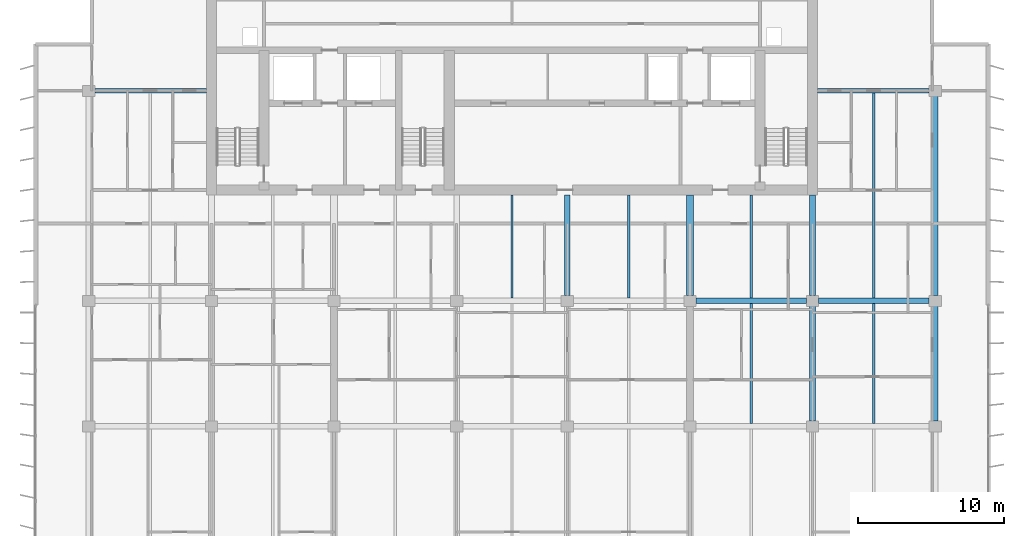
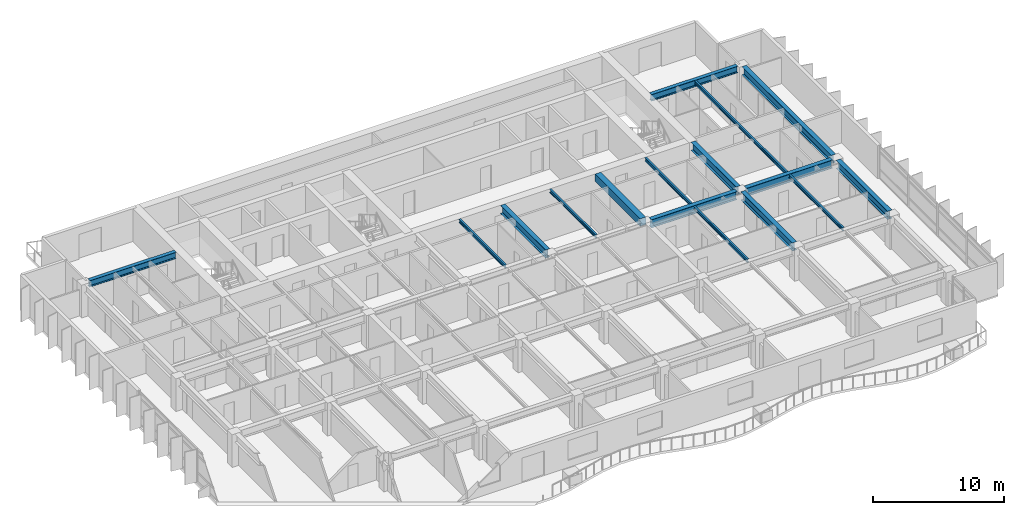
# One storey, part 4 of 16: 16 beams.
"""IFC4 building model written with IfcOpenShell, lengths in metres."""

from ifc_helpers import new_model, si_unit, direction, frame, origin, origin_2d, place, context, subcontext, project, spatial, rectangle, i_section, extrude, material, material_profile, profile_set, type_object, element, save


model = new_model("IFC4")

# Units and contexts
model_context = context("Model", 3, precision=1e-05, world=origin(), true_north=direction((0.0, 1.0)))
body_context = subcontext(model_context, "Body", "Model", "MODEL_VIEW")
ifc_project = project(units=[si_unit("LENGTHUNIT", "METRE"), si_unit("AREAUNIT", "SQUARE_METRE"), si_unit("VOLUMEUNIT", "CUBIC_METRE"), si_unit("PLANEANGLEUNIT", "RADIAN"), si_unit("MASSUNIT", "GRAM", prefix="KILO")], contexts=[model_context])

# Site, building, storey
site_placement = place(None, origin())
site = spatial("IfcSite", under=ifc_project, at=site_placement, CompositionType="ELEMENT")
building_placement = place(site_placement, origin())
building = spatial("IfcBuilding", under=site, at=building_placement, Name="Caelmar Bay Residences", CompositionType="ELEMENT")
storey_placement = place(building_placement, frame((0.0, 0.0, 198.300048828125)))
storey = spatial("IfcBuildingStorey", under=building, at=storey_placement, Name="L55", CompositionType="ELEMENT", Elevation=198.300048828125)

# Beams
ifc_material_1 = material(Name="Steel ASTM A992 Grade 50", Category="steel")
ifc_material_profile_1 = material_profile(ifc_material_1, i_section(OverallWidth=0.381103515625, OverallDepth=0.77197265625, WebThickness=0.0166015625, FlangeThickness=0.027099609375, FilletRadius=0.0166015625, at=origin_2d()), Name="W30X173")
ifc_profile_set_1 = profile_set([ifc_material_profile_1], Name="Steel ASTM A992 Grade 50")
beam_type_1 = type_object("IfcBeamType", Name="BM-GRD-W30X173", PredefinedType="BEAM", material=ifc_profile_set_1)
for number, where, z_axis, x_axis, name in (
    (1, (51.514892578125, 29.39990234375, 2.6640625), (1.0, 0.0, 0.0), (0.0, 1.0, 0.0), "L55 East-West Girder Y=29.40 (51.1-59.5)"),
    (2, (59.9150390625, 29.39990234375, 2.6640625), (1.0, 0.0, 0.0), (0.0, 1.0, 0.0), "L55 East-West Girder Y=29.40 (59.5-67.9)"),
):
    element("IfcBeam", number, at=place(storey_placement, frame(where, z_axis=z_axis, x_axis=x_axis)), inside=storey, type_object=beam_type_1, Name=name, PredefinedType="BEAM", context=body_context, shape_type="SweptSolid", body=[
        extrude(i_section(OverallWidth=0.381103515625, OverallDepth=0.77197265625, WebThickness=0.0166015625, FlangeThickness=0.027099609375, FilletRadius=0.0166015625, at=origin_2d()), origin(), (0.0, 0.0, 1.0), 7.570068359375),
    ])
for number, where, z_axis, x_axis, name in (
    (3, (42.699951171875, 29.764892578125, 2.6640625), (0.0, 1.0, 0.0), (-1.0, 0.0, 0.0), "L55 Core Tie Girder X=42.70"),
    (4, (59.5, 29.764892578125, 2.6640625), (0.0, 1.0, 0.0), (-1.0, 0.0, 0.0), "L55 Core Tie Girder X=59.50"),
):
    element("IfcBeam", number, at=place(storey_placement, frame(where, z_axis=z_axis, x_axis=x_axis)), inside=storey, type_object=beam_type_1, Name=name, PredefinedType="BEAM", context=body_context, shape_type="SweptSolid", body=[
        extrude(i_section(OverallWidth=0.381103515625, OverallDepth=0.77197265625, WebThickness=0.0166015625, FlangeThickness=0.027099609375, FilletRadius=0.0166015625, at=origin_2d()), origin(), (0.0, 0.0, 1.0), 6.885009765625),
    ])
for number, where, z_axis, x_axis, name in (
    (5, (59.5, 21.1650390625, 2.6640625), (0.0, 1.0, 0.0), (-1.0, 0.0, 0.0), "L55 North-South Girder X=59.50 (20.8-29.4)"),
    (6, (67.89990234375, 21.1650390625, 2.6640625), (0.0, 1.0, 0.0), (-1.0, 0.0, 0.0), "L55 North-South Girder X=67.90 (20.8-29.4)"),
):
    element("IfcBeam", number, at=place(storey_placement, frame(where, z_axis=z_axis, x_axis=x_axis)), inside=storey, type_object=beam_type_1, Name=name, PredefinedType="BEAM", context=body_context, shape_type="SweptSolid", body=[
        extrude(i_section(OverallWidth=0.381103515625, OverallDepth=0.77197265625, WebThickness=0.0166015625, FlangeThickness=0.027099609375, FilletRadius=0.0166015625, at=origin_2d()), origin(), (0.0, 0.0, 1.0), 7.869873046875),
    ])
beam_1_placement = place(storey_placement, frame((67.89990234375, 29.764892578125, 2.6640625), z_axis=(0.0, 1.0, 0.0), x_axis=(-1.0, 0.0, 0.0)))
element("IfcBeam", 7, at=beam_1_placement, inside=storey, type_object=beam_type_1, Name="L55 North-South Girder X=67.90 (29.4-43.8)", PredefinedType="BEAM", context=body_context, shape_type="SweptSolid", body=[
    extrude(i_section(OverallWidth=0.381103515625, OverallDepth=0.77197265625, WebThickness=0.0166015625, FlangeThickness=0.027099609375, FilletRadius=0.0166015625, at=origin_2d()), origin(), (0.0, 0.0, 1.0), 13.670166015625),
])
ifc_material_profile_2 = material_profile(ifc_material_1, i_section(OverallWidth=0.1650390625, OverallDepth=0.31005859375, WebThickness=0.005859375, FlangeThickness=0.009765625, FilletRadius=0.007568359375, at=origin_2d()), Name="W12X26")
ifc_profile_set_2 = profile_set([ifc_material_profile_2], Name="Steel ASTM A992 Grade 50")
beam_type_2 = type_object("IfcBeamType", Name="BM-JST-W12X26", PredefinedType="JOIST", material=ifc_profile_set_2)
for number, where, z_axis, x_axis, name in (
    (8, (55.300048828125, 20.990478515625, 2.89501953125), (0.0, 1.0, 0.0), (-1.0, 0.0, 0.0), "L55 Composite Floor Joist 13"),
    (9, (63.699951171875, 20.990478515625, 2.89501953125), (0.0, 1.0, 0.0), (-1.0, 0.0, 0.0), "L55 Composite Floor Joist 14"),
):
    element("IfcBeam", number, at=place(storey_placement, frame(where, z_axis=z_axis, x_axis=x_axis)), inside=storey, type_object=beam_type_2, Name=name, PredefinedType="JOIST", context=body_context, shape_type="SweptSolid", body=[
        extrude(i_section(OverallWidth=0.1650390625, OverallDepth=0.31005859375, WebThickness=0.005859375, FlangeThickness=0.009765625, FilletRadius=0.007568359375, at=origin_2d()), origin(), (0.0, 0.0, 1.0), 8.218994140625),
    ])
for number, where, z_axis, x_axis, name in (
    (10, (38.89990234375, 29.590576171875, 2.89501953125), (0.0, 1.0, 0.0), (-1.0, 0.0, 0.0), "L55 Core-Band Composite Joist 17"),
    (11, (46.89990234375, 29.590576171875, 2.89501953125), (0.0, 1.0, 0.0), (-1.0, 0.0, 0.0), "L55 Core-Band Composite Joist 18"),
    (12, (55.300048828125, 29.590576171875, 2.89501953125), (0.0, 1.0, 0.0), (-1.0, 0.0, 0.0), "L55 Core-Band Composite Joist 19"),
):
    element("IfcBeam", number, at=place(storey_placement, frame(where, z_axis=z_axis, x_axis=x_axis)), inside=storey, type_object=beam_type_2, Name=name, PredefinedType="JOIST", context=body_context, shape_type="SweptSolid", body=[
        extrude(i_section(OverallWidth=0.1650390625, OverallDepth=0.31005859375, WebThickness=0.005859375, FlangeThickness=0.009765625, FilletRadius=0.007568359375, at=origin_2d()), origin(), (0.0, 0.0, 1.0), 7.059326171875),
    ])
beam_2_placement = place(storey_placement, frame((63.699951171875, 29.590576171875, 2.89501953125), z_axis=(0.0, 1.0, 0.0), x_axis=(-1.0, 0.0, 0.0)))
element("IfcBeam", 13, at=beam_2_placement, inside=storey, type_object=beam_type_2, Name="L55 Composite Floor Joist 21", PredefinedType="JOIST", context=body_context, shape_type="SweptSolid", body=[
    extrude(i_section(OverallWidth=0.1650390625, OverallDepth=0.31005859375, WebThickness=0.005859375, FlangeThickness=0.009765625, FilletRadius=0.007568359375, at=origin_2d()), origin(), (0.0, 0.0, 1.0), 14.046875),
])
ifc_material_2 = material(Name="Concrete f'c 55 MPa (8,000 psi)", Category="concrete")
ifc_material_profile_3 = material_profile(ifc_material_2, rectangle(XDim=0.5, YDim=0.699951171875, at=origin_2d()), Name="RC-BM-500X700")
ifc_profile_set_3 = profile_set([ifc_material_profile_3], Name="Concrete f'c 55 MPa (8,000 psi)")
beam_type_3 = type_object("IfcBeamType", Name="BM-RC-500X700", PredefinedType="LINTEL", material=ifc_profile_set_3)
beam_3_placement = place(storey_placement, frame((51.10009765625, 29.764892578125, 2.699951171875), z_axis=(0.0, 1.0, 0.0), x_axis=(-1.0, 0.0, 0.0)))
element("IfcBeam", 14, at=beam_3_placement, inside=storey, type_object=beam_type_3, Name="L55 Shear-Wall Corridor Coupling Lintel E8", PredefinedType="LINTEL", context=body_context, shape_type="SweptSolid", body=[
    extrude(rectangle(XDim=0.5, YDim=0.699951171875, at=origin_2d()), origin(), (0.0, 0.0, 1.0), 6.885009765625),
])
ifc_material_profile_4 = material_profile(ifc_material_1, i_section(OverallWidth=0.324951171875, OverallDepth=0.616943359375, WebThickness=0.013916015625, FlangeThickness=0.021484375, FilletRadius=0.0126953125, at=origin_2d()), Name="W24X117")
ifc_profile_set_4 = profile_set([ifc_material_profile_4], Name="Steel ASTM A992 Grade 50")
beam_type_4 = type_object("IfcBeamType", Name="BM-SPN-W24X117", PredefinedType="SPANDREL", material=ifc_profile_set_4)
for number, where, z_axis, x_axis, name in (
    (15, (10.31494140625, 43.800048828125, 2.741455078125), (1.0, 0.0, 0.0), (0.0, 1.0, 0.0), "L55 North-West Wing Core Tie Girder"),
    (16, (59.85009765625, 43.800048828125, 2.741455078125), (1.0, 0.0, 0.0), (0.0, 1.0, 0.0), "L55 North-East Wing Core Tie Girder"),
):
    element("IfcBeam", number, at=place(storey_placement, frame(where, z_axis=z_axis, x_axis=x_axis)), inside=storey, type_object=beam_type_4, Name=name, PredefinedType="SPANDREL", context=body_context, shape_type="SweptSolid", body=[
        extrude(i_section(OverallWidth=0.324951171875, OverallDepth=0.616943359375, WebThickness=0.013916015625, FlangeThickness=0.021484375, FilletRadius=0.0126953125, at=origin_2d()), origin(), (0.0, 0.0, 1.0), 7.635009765625),
    ])

save(model, "model.ifc")
